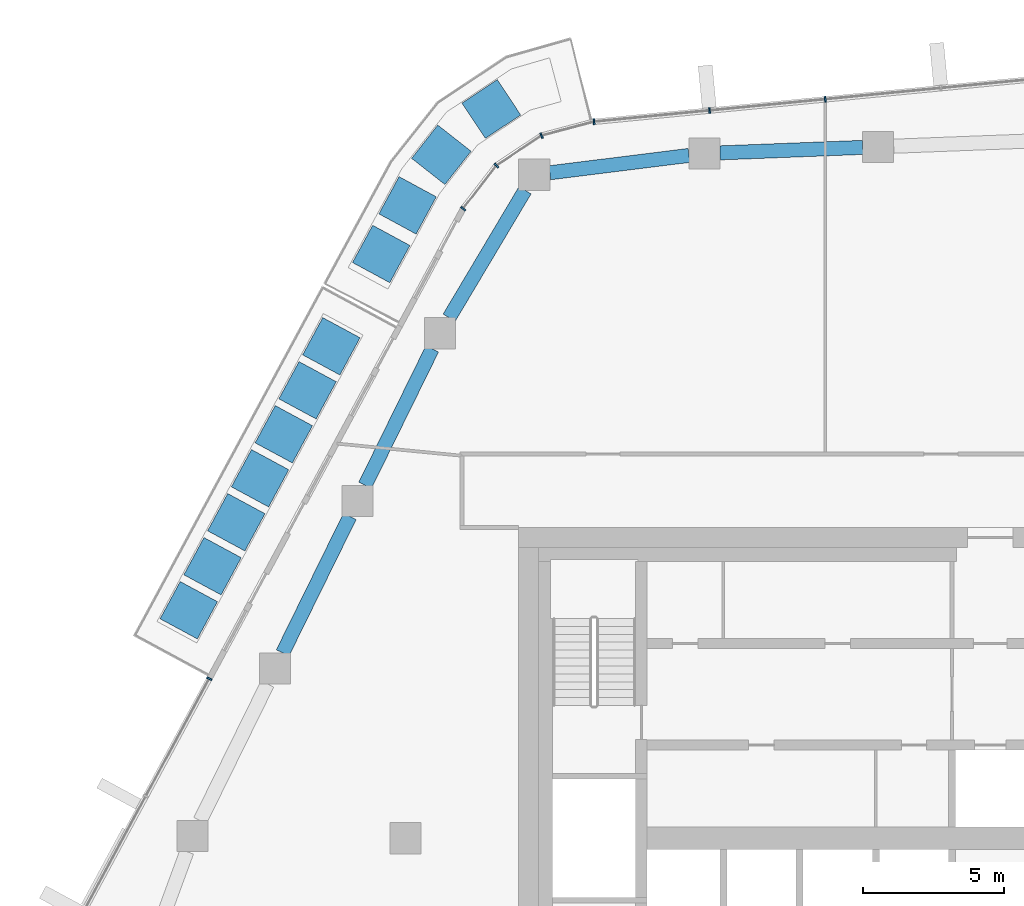
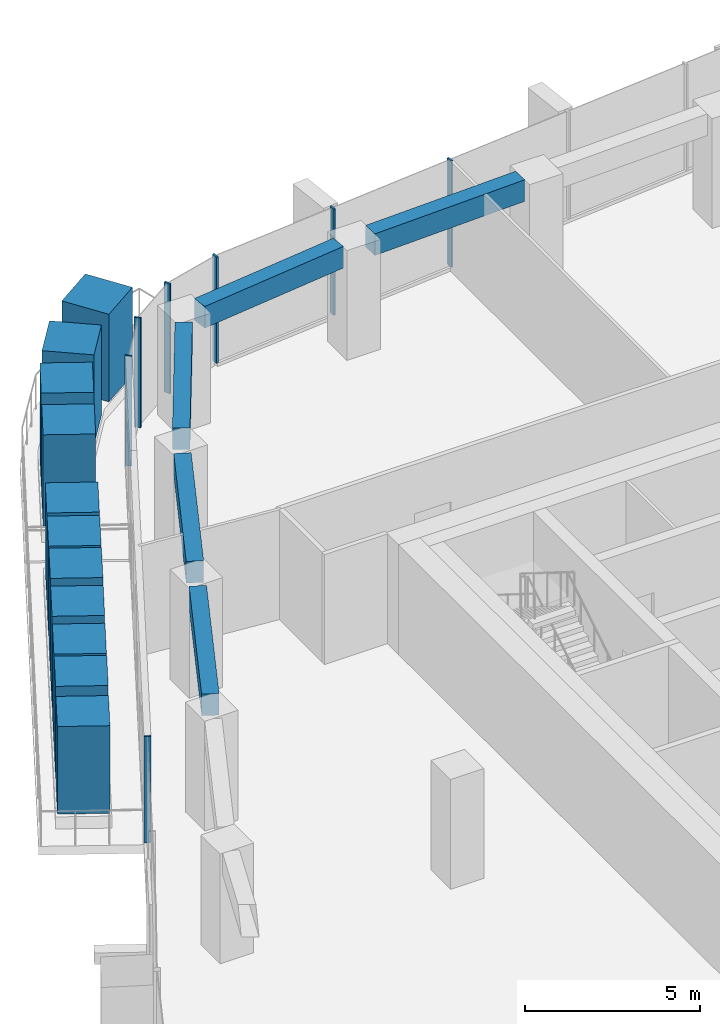
# One storey, part 6 of 20: 18 members, 5 beams, 3 elements without a shape of their own.
"""IFC4 building model written with IfcOpenShell, lengths in metres."""

from ifc_helpers import new_model, si_unit, direction, frame, origin, origin_2d, place, context, subcontext, project, spatial, rectangle, extrude, material, layer, layer_set, material_profile, profile_set, type_object, element, aggregate, save


model = new_model("IFC4")

# Units and contexts
model_context = context("Model", 3, precision=1e-05, world=origin(), true_north=direction((0.0, 1.0)))
body_context = subcontext(model_context, "Body", "Model", "MODEL_VIEW")
ifc_project = project(units=[si_unit("LENGTHUNIT", "METRE"), si_unit("AREAUNIT", "SQUARE_METRE"), si_unit("VOLUMEUNIT", "CUBIC_METRE"), si_unit("PLANEANGLEUNIT", "RADIAN"), si_unit("MASSUNIT", "GRAM", prefix="KILO")], contexts=[model_context])

# Site, building, storey
site_placement = place(None, origin())
site = spatial("IfcSite", under=ifc_project, at=site_placement, CompositionType="ELEMENT")
building_placement = place(site_placement, origin())
building = spatial("IfcBuilding", under=site, at=building_placement, Name="Dongbaek Canopy Tower", CompositionType="ELEMENT")
storey_placement = place(building_placement, frame((0.0, 0.0, 258.0)))
storey = spatial("IfcBuildingStorey", under=building, at=storey_placement, Name="L54", CompositionType="ELEMENT", Elevation=258.0)

# Curtain wall, members
ifc_material_1 = material(Name="Aluminium 6063-T6 pale anodised", Category="aluminium")
ifc_layer = layer(ifc_material_1, 0.199951171875)
ifc_layer_set = layer_set([ifc_layer], Name="CW-1 unitised tower curtain wall")
curtain_wall_type = type_object("IfcCurtainWallType", Name="CW-1 unitised tower curtain wall", PredefinedType="NOTDEFINED", material=ifc_layer_set)
curtain_wall_1_placement = place(storey_placement, origin())
curtain_wall_1 = element("IfcCurtainWall", 1, at=curtain_wall_1_placement, inside=storey, type_object=curtain_wall_type, Name="CW-1 curtain wall F1.1", PredefinedType="NOTDEFINED")
ifc_material_2 = material(Name="Aluminium 6063-T6 pale anodised", Category="aluminium")
ifc_material_profile_1 = material_profile(ifc_material_2, rectangle(XDim=0.199951171875, YDim=0.06005859375, at=origin_2d()), Name="CW-1 mullion 60 x 200")
ifc_profile_set_1 = profile_set([ifc_material_profile_1], Name="Aluminium 6063-T6 pale anodised")
member_type_1 = type_object("IfcMemberType", Name="CW-1 mullion 60 x 200", PredefinedType="MULLION", material=ifc_profile_set_1)
member_1_placement = place(storey_placement, frame((-3.141357421875, 26.161376953125, 0.1201171875), z_axis=(0.0, 0.0, 1.0), x_axis=(-0.096505718384, 0.995332430055, 0.0)))
member_1 = element("IfcMember", 2, at=member_1_placement, type_object=member_type_1, Name="CW-1 mullion F1.1.4", PredefinedType="MULLION", context=body_context, shape_type="SweptSolid", body=[
    extrude(rectangle(XDim=0.199951171875, YDim=0.06005859375, at=origin_2d()), origin(), (0.0, 0.0, 1.0), 3.699951171875),
])
member_2_placement = place(storey_placement, frame((-7.237548828125, 25.76416015625, 0.1201171875), z_axis=(0.0, 0.0, 1.0), x_axis=(-0.096505718384, 0.995332430055, 0.0)))
member_2 = element("IfcMember", 3, at=member_2_placement, type_object=member_type_1, Name="CW-1 mullion F1.1.5", PredefinedType="MULLION", context=body_context, shape_type="SweptSolid", body=[
    extrude(rectangle(XDim=0.199951171875, YDim=0.06005859375, at=origin_2d()), origin(), (0.0, 0.0, 1.0), 3.699951171875),
])
member_3_placement = place(storey_placement, frame((-11.325927734375, 25.36767578125, 0.1201171875), z_axis=(0.0, 0.0, 1.0), x_axis=(-0.096505718384, 0.995332430055, 0.0)))
member_3 = element("IfcMember", 4, at=member_3_placement, type_object=member_type_1, Name="CW-1 mullion F1.1.6", PredefinedType="MULLION", context=body_context, shape_type="SweptSolid", body=[
    extrude(rectangle(XDim=0.199951171875, YDim=0.06005859375, at=origin_2d()), origin(), (0.0, 0.0, 1.0), 3.699951171875),
])
aggregate(curtain_wall_1, [member_1, member_2, member_3])

curtain_wall_2_placement = place(storey_placement, origin())
curtain_wall_2 = element("IfcCurtainWall", 5, at=curtain_wall_2_placement, inside=storey, type_object=curtain_wall_type, Name="CW-1 curtain wall K2.1", PredefinedType="NOTDEFINED")
member_4_placement = place(storey_placement, frame((-13.185791015625, 24.873291015625, 0.0), z_axis=(0.0, 0.0, 1.0), x_axis=(-0.410472209051, 0.911873108276, 0.0)))
member_4 = element("IfcMember", 6, at=member_4_placement, type_object=member_type_1, Name="CW-1 mullion K2.1.2", PredefinedType="MULLION", context=body_context, shape_type="SweptSolid", body=[
    extrude(rectangle(XDim=0.199951171875, YDim=0.06005859375, at=origin_2d()), origin(), (0.0, 0.0, 1.0), 3.820068359375),
])
member_5_placement = place(storey_placement, frame((-14.7822265625, 23.813232421875, 0.0), z_axis=(0.0, 0.0, 1.0), x_axis=(-0.681117292173, 0.732174319615, 0.0)))
member_5 = element("IfcMember", 7, at=member_5_placement, type_object=member_type_1, Name="CW-1 mullion K2.1.3", PredefinedType="MULLION", context=body_context, shape_type="SweptSolid", body=[
    extrude(rectangle(XDim=0.199951171875, YDim=0.06005859375, at=origin_2d()), origin(), (0.0, 0.0, 1.0), 3.820068359375),
])
member_6_placement = place(storey_placement, frame((-15.959716796875, 22.291015625, 0.0), z_axis=(0.0, 0.0, 1.0), x_axis=(-0.791002228387, 0.611813267825, 0.0)))
member_6 = element("IfcMember", 8, at=member_6_placement, type_object=member_type_1, Name="CW-1 mullion K2.1.4", PredefinedType="MULLION", context=body_context, shape_type="SweptSolid", body=[
    extrude(rectangle(XDim=0.199951171875, YDim=0.06005859375, at=origin_2d()), origin(), (0.0, 0.0, 1.0), 3.820068359375),
])
aggregate(curtain_wall_2, [member_4, member_5, member_6])

# Curtain wall, member
curtain_wall_3_placement = place(storey_placement, origin())
curtain_wall_3 = element("IfcCurtainWall", 9, at=curtain_wall_3_placement, inside=storey, type_object=curtain_wall_type, Name="CW-1 curtain wall F2.1", PredefinedType="NOTDEFINED")
member_7_placement = place(storey_placement, frame((-24.94677734375, 5.65087890625, 0.1201171875), z_axis=(0.0, 0.0, 1.0), x_axis=(-0.879876973154, 0.475201548938, 0.0)))
member_7 = element("IfcMember", 10, at=member_7_placement, type_object=member_type_1, Name="CW-1 mullion F2.1.1", PredefinedType="MULLION", context=body_context, shape_type="SweptSolid", body=[
    extrude(rectangle(XDim=0.199951171875, YDim=0.06005859375, at=origin_2d()), origin(), (0.0, 0.0, 1.0), 3.699951171875),
])
aggregate(curtain_wall_3, [member_7])

# Beams
ifc_material_3 = material(Name="Concrete C70", Category="concrete")
ifc_material_profile_2 = material_profile(ifc_material_3, rectangle(XDim=0.5, YDim=0.75, at=origin_2d()), Name="RC EDGE BEAM 500x750 C70")
ifc_profile_set_2 = profile_set([ifc_material_profile_2], Name="Concrete C70")
beam_type = type_object("IfcBeamType", Name="RC EDGE BEAM 500x750 C70", PredefinedType="BEAM", material=ifc_profile_set_2)
beam_1_placement = place(storey_placement, frame((-22.350341796875, 6.56103515625, 3.445068359375), z_axis=(0.441366916234, 0.897326721576, 0.0), x_axis=(-0.897326721576, 0.441366916234, 0.0)))
element("IfcBeam", 11, at=beam_1_placement, inside=storey, type_object=beam_type, Name="EDGEBEAM:L54:10", PredefinedType="BEAM", context=body_context, shape_type="SweptSolid", body=[
    extrude(rectangle(XDim=0.5, YDim=0.75, at=origin_2d()), origin(), (0.0, 0.0, 1.0), 5.38720703125),
])
beam_2_placement = place(storey_placement, frame((-19.431396484375, 12.4951171875, 3.445068359375), z_axis=(0.441347181793, 0.89733642806, 0.0), x_axis=(-0.89733642806, 0.441347181793, 0.0)))
element("IfcBeam", 12, at=beam_2_placement, inside=storey, type_object=beam_type, Name="EDGEBEAM:L54:11", PredefinedType="BEAM", context=body_context, shape_type="SweptSolid", body=[
    extrude(rectangle(XDim=0.5, YDim=0.75, at=origin_2d()), origin(), (0.0, 0.0, 1.0), 5.3857421875),
])
beam_3_placement = place(storey_placement, frame((-16.45654296875, 18.427978515625, 3.445068359375), z_axis=(0.511587639318, 0.85923110238, 0.0), x_axis=(-0.85923110238, 0.511587639318, 0.0)))
element("IfcBeam", 13, at=beam_3_placement, inside=storey, type_object=beam_type, Name="EDGEBEAM:L54:12", PredefinedType="BEAM", context=body_context, shape_type="SweptSolid", body=[
    extrude(rectangle(XDim=0.5, YDim=0.75, at=origin_2d()), origin(), (0.0, 0.0, 1.0), 5.252197265625),
])
beam_4_placement = place(storey_placement, frame((-12.89208984375, 23.5595703125, 3.445068359375), z_axis=(0.992305840698, 0.123810817446, 0.0), x_axis=(-0.123810817446, 0.992305840698, 0.0)))
element("IfcBeam", 14, at=beam_4_placement, inside=storey, type_object=beam_type, Name="EDGEBEAM:L54:13", PredefinedType="BEAM", context=body_context, shape_type="SweptSolid", body=[
    extrude(rectangle(XDim=0.5, YDim=0.75, at=origin_2d()), origin(), (0.0, 0.0, 1.0), 4.965087890625),
])
beam_5_placement = place(storey_placement, frame((-6.864990234375, 24.26416015625, 3.445068359375), z_axis=(0.999263812988, 0.038364463397, 0.0), x_axis=(-0.038364463397, 0.999263812988, 0.0)))
element("IfcBeam", 15, at=beam_5_placement, inside=storey, type_object=beam_type, Name="EDGEBEAM:L54:14", PredefinedType="BEAM", context=body_context, shape_type="SweptSolid", body=[
    extrude(rectangle(XDim=0.5, YDim=0.75, at=origin_2d()), origin(), (0.0, 0.0, 1.0), 5.052734375),
])

# Members
ifc_material_4 = material(Name="Concrete C40/50 planter mass with planting", Category="concrete")
ifc_material_profile_3 = material_profile(ifc_material_4, rectangle(XDim=1.5, YDim=1.5, at=origin_2d()), Name="Terrace PLANTER shrub mass 1500 x 1500")
ifc_profile_set_3 = profile_set([ifc_material_profile_3], Name="Concrete C40/50 planter mass with planting")
member_type_2 = type_object("IfcMemberType", Name="Terrace PLANTER shrub mass 1500 x 1500", PredefinedType="USERDEFINED", material=ifc_profile_set_3)
member_8_placement = place(storey_placement, frame((-20.626708984375, 17.416259765625, 0.419921875), z_axis=(0.0, 0.0, 1.0), x_axis=(-0.879876973154, 0.475201548938, 0.0)))
element("IfcMember", 16, at=member_8_placement, inside=storey, type_object=member_type_2, Name="Planter shrubs L54 2.1", ObjectType="PLANTER", PredefinedType="USERDEFINED", context=body_context, shape_type="SweptSolid", body=[
    extrude(rectangle(XDim=1.5, YDim=1.5, at=origin_2d()), origin(), (0.0, 0.0, 1.0), 3.050048828125),
])
member_9_placement = place(storey_placement, frame((-21.468017578125, 15.85888671875, 0.419921875), z_axis=(0.0, 0.0, 1.0), x_axis=(-0.879876973154, 0.475201548938, 0.0)))
element("IfcMember", 17, at=member_9_placement, inside=storey, type_object=member_type_2, Name="Planter shrubs L54 2.2", ObjectType="PLANTER", PredefinedType="USERDEFINED", context=body_context, shape_type="SweptSolid", body=[
    extrude(rectangle(XDim=1.5, YDim=1.5, at=origin_2d()), origin(), (0.0, 0.0, 1.0), 3.130126953125),
])
member_10_placement = place(storey_placement, frame((-22.30908203125, 14.301513671875, 0.419921875), z_axis=(0.0, 0.0, 1.0), x_axis=(-0.879876973154, 0.475201548938, 0.0)))
element("IfcMember", 18, at=member_10_placement, inside=storey, type_object=member_type_2, Name="Planter shrubs L54 2.3", ObjectType="PLANTER", PredefinedType="USERDEFINED", context=body_context, shape_type="SweptSolid", body=[
    extrude(rectangle(XDim=1.5, YDim=1.5, at=origin_2d()), origin(), (0.0, 0.0, 1.0), 3.25),
])
member_11_placement = place(storey_placement, frame((-23.150146484375, 12.744140625, 0.419921875), z_axis=(0.0, 0.0, 1.0), x_axis=(-0.879876973154, 0.475201548938, 0.0)))
element("IfcMember", 19, at=member_11_placement, inside=storey, type_object=member_type_2, Name="Planter shrubs L54 2.4", ObjectType="PLANTER", PredefinedType="USERDEFINED", context=body_context, shape_type="SweptSolid", body=[
    extrude(rectangle(XDim=1.5, YDim=1.5, at=origin_2d()), origin(), (0.0, 0.0, 1.0), 3.170166015625),
])
member_12_placement = place(storey_placement, frame((-23.9912109375, 11.186767578125, 0.419921875), z_axis=(0.0, 0.0, 1.0), x_axis=(-0.879876973154, 0.475201548938, 0.0)))
element("IfcMember", 20, at=member_12_placement, inside=storey, type_object=member_type_2, Name="Planter shrubs L54 2.5", ObjectType="PLANTER", PredefinedType="USERDEFINED", context=body_context, shape_type="SweptSolid", body=[
    extrude(rectangle(XDim=1.5, YDim=1.5, at=origin_2d()), origin(), (0.0, 0.0, 1.0), 3.090087890625),
])
member_13_placement = place(storey_placement, frame((-24.832275390625, 9.62939453125, 0.419921875), z_axis=(0.0, 0.0, 1.0), x_axis=(-0.879876973154, 0.475201548938, 0.0)))
element("IfcMember", 21, at=member_13_placement, inside=storey, type_object=member_type_2, Name="Planter shrubs L54 2.6", ObjectType="PLANTER", PredefinedType="USERDEFINED", context=body_context, shape_type="SweptSolid", body=[
    extrude(rectangle(XDim=1.5, YDim=1.5, at=origin_2d()), origin(), (0.0, 0.0, 1.0), 3.2099609375),
])
for number, where, z_axis, x_axis, name in (
    (22, (-25.673583984375, 8.072021484375, 0.419921875), (0.0, 0.0, 1.0), (-0.879876973154, 0.475201548938, 0.0), "Planter shrubs L54 2.7"),
    (23, (-14.961669921875, 25.81591796875, 0.419921875), (0.0, 0.0, 1.0), (-0.553140871251, 0.833087736407, 0.0), "Planter shrubs L54 6.1"),
):
    element("IfcMember", number, at=place(storey_placement, frame(where, z_axis=z_axis, x_axis=x_axis)), inside=storey, type_object=member_type_2, Name=name, ObjectType="PLANTER", PredefinedType="USERDEFINED", context=body_context, shape_type="SweptSolid", body=[
        extrude(rectangle(XDim=1.5, YDim=1.5, at=origin_2d()), origin(), (0.0, 0.0, 1.0), 3.050048828125),
    ])
member_14_placement = place(storey_placement, frame((-16.7314453125, 24.196044921875, 0.419921875), z_axis=(0.0, 0.0, 1.0), x_axis=(-0.786623441478, 0.617433041971, 0.0)))
element("IfcMember", 24, at=member_14_placement, inside=storey, type_object=member_type_2, Name="Planter shrubs L54 6.2", ObjectType="PLANTER", PredefinedType="USERDEFINED", context=body_context, shape_type="SweptSolid", body=[
    extrude(rectangle(XDim=1.5, YDim=1.5, at=origin_2d()), origin(), (0.0, 0.0, 1.0), 3.130126953125),
])
member_15_placement = place(storey_placement, frame((-17.92724609375, 22.40625, 0.419921875), z_axis=(0.0, 0.0, 1.0), x_axis=(-0.879194337268, 0.476463343097, 0.0)))
element("IfcMember", 25, at=member_15_placement, inside=storey, type_object=member_type_2, Name="Planter shrubs L54 6.3", ObjectType="PLANTER", PredefinedType="USERDEFINED", context=body_context, shape_type="SweptSolid", body=[
    extrude(rectangle(XDim=1.5, YDim=1.5, at=origin_2d()), origin(), (0.0, 0.0, 1.0), 3.25),
])
member_16_placement = place(storey_placement, frame((-18.860595703125, 20.683837890625, 0.419921875), z_axis=(0.0, 0.0, 1.0), x_axis=(-0.879194337268, 0.476463343097, 0.0)))
element("IfcMember", 26, at=member_16_placement, inside=storey, type_object=member_type_2, Name="Planter shrubs L54 6.4", ObjectType="PLANTER", PredefinedType="USERDEFINED", context=body_context, shape_type="SweptSolid", body=[
    extrude(rectangle(XDim=1.5, YDim=1.5, at=origin_2d()), origin(), (0.0, 0.0, 1.0), 3.170166015625),
])

save(model, "model.ifc")
